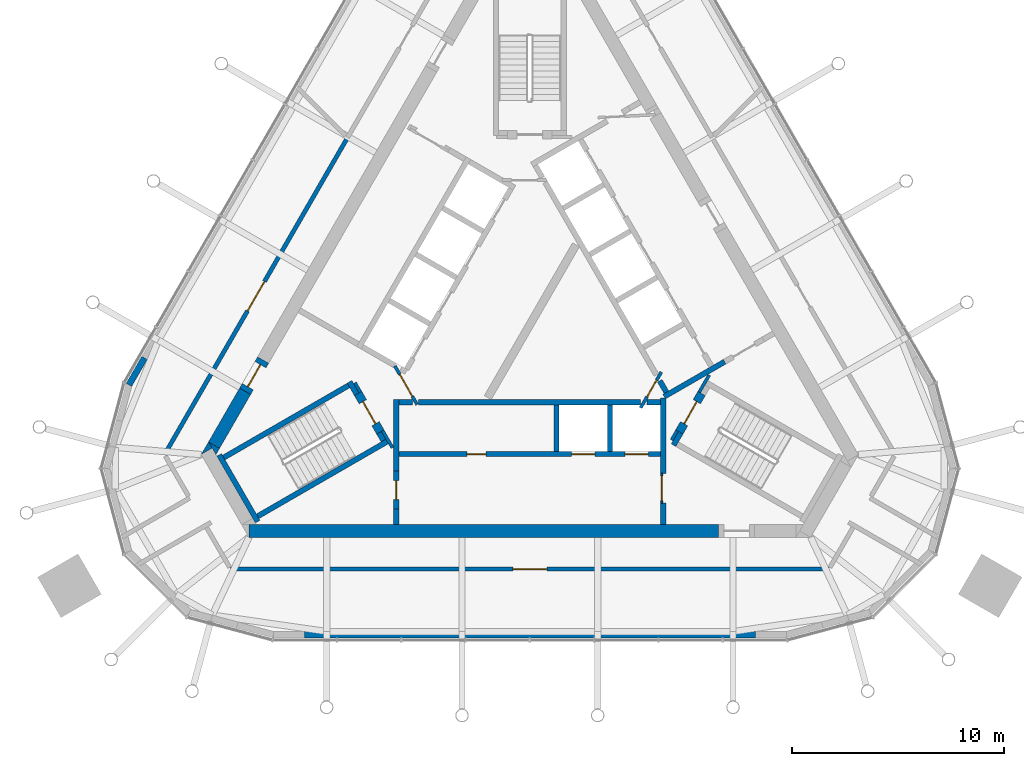
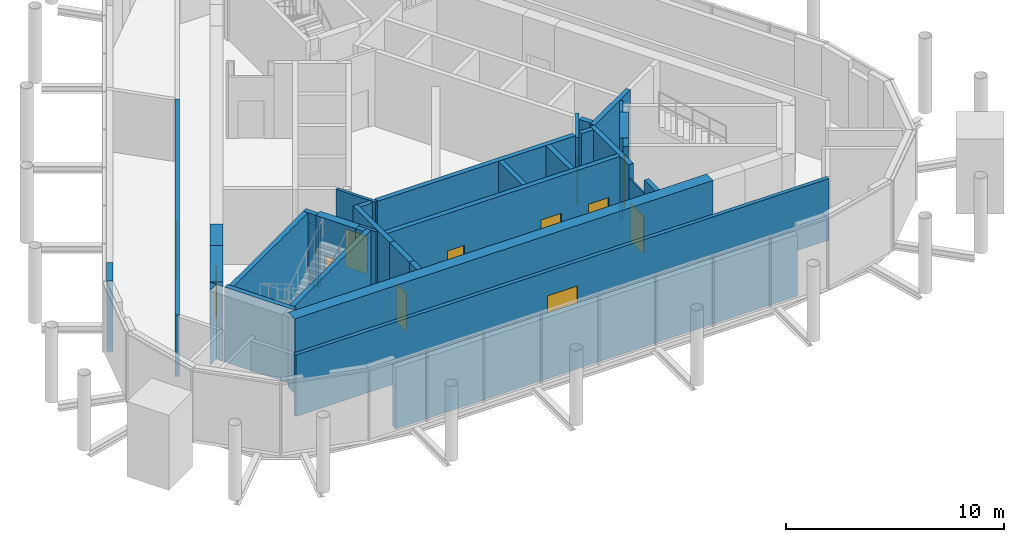
# One storey, part 7 of 11: 37 walls, 12 doors, 12 openings.
"""IFC4 building model written with IfcOpenShell, lengths in metres."""

from ifc_helpers import new_model, si_unit, direction, frame, frame_2d, origin, place, context, subcontext, project, spatial, polyline, rectangle, outline, extrude, material, layer, layer_set, type_object, element, fill, save


model = new_model("IFC4")

# Units and contexts
model_context = context("Model", 3, precision=1e-05, world=origin(), true_north=direction((0.0, 1.0)))
body_context = subcontext(model_context, "Body", "Model", "MODEL_VIEW")
ifc_project = project(units=[si_unit("LENGTHUNIT", "METRE"), si_unit("AREAUNIT", "SQUARE_METRE"), si_unit("VOLUMEUNIT", "CUBIC_METRE"), si_unit("PLANEANGLEUNIT", "RADIAN"), si_unit("MASSUNIT", "GRAM", prefix="KILO")], contexts=[model_context])

# Site, building, storey
site_placement = place(None, origin())
site = spatial("IfcSite", under=ifc_project, at=site_placement, CompositionType="ELEMENT")
building_placement = place(site_placement, origin())
building = spatial("IfcBuilding", under=site, at=building_placement, Name="Mestral Congress Tower", CompositionType="ELEMENT")
storey_placement = place(building_placement, frame((0.0, 0.0, 340.199951171875)))
storey = spatial("IfcBuildingStorey", under=building, at=storey_placement, Name="L79", CompositionType="ELEMENT", Elevation=340.199951171875)

# Walls
ifc_material_1 = material(Name="Fire-rated board partition")
ifc_layer_1 = layer(ifc_material_1, 0.14990234375)
ifc_layer_set_1 = layer_set([ifc_layer_1], Name="Fire-rated board partition")
wall_type_1 = type_object("IfcWallType", Name="Core partition 150", PredefinedType="PARTITIONING", material=ifc_layer_set_1)
for number, where, z_axis, x_axis, name in (
    (1, (-8.251953125, -2.958251953125, 0.0), (0.0, 0.0, 1.0), (0.500174715838, -0.865924508047, 0.0), "L79 core wall"),
    (2, (6.94482421875, -5.22216796875, 0.0), (0.0, 0.0, 1.0), (-0.499818422106, -0.866130212453, 0.0), "L79 core wall"),
):
    element("IfcWall", number, at=place(storey_placement, frame(where, z_axis=z_axis, x_axis=x_axis)), inside=storey, type_object=wall_type_1, Name=name, PredefinedType="PARTITIONING", context=body_context, shape_type="SweptSolid", body=[
        extrude(rectangle(XDim=0.513916015625, YDim=0.14990234375, at=frame_2d((0.2568359375, 0.0))), origin(), (0.0, 0.0, 1.0), 3.449951171875),
    ])

# Wall, opening, door
ifc_layer_2 = layer(ifc_material_1, 0.090087890625)
ifc_layer_set_2 = layer_set([ifc_layer_2], Name="Fire-rated board partition")
wall_type_2 = type_object("IfcWallType", Name="Core partition 150 door-wall 90", PredefinedType="PARTITIONING", material=ifc_layer_set_2)
wall_1_placement = place(storey_placement, frame((6.219970703125, -7.23681640625, 0.0), z_axis=(0.0, 0.0, 1.0), x_axis=(0.0, -1.0, 0.0)))
wall_1 = element("IfcWall", 3, at=wall_1_placement, inside=storey, type_object=wall_type_2, Name="L79 door wall", PredefinedType="PARTITIONING", context=body_context, shape_type="SweptSolid", body=[
    extrude(rectangle(XDim=1.400146484375, YDim=0.090087890625, at=frame_2d((0.7001953125, 0.0))), origin(), (0.0, 0.0, 1.0), 3.449951171875),
])
opening_1_placement = place(wall_1_placement, frame((0.10009765625, 0.0, 0.0)))
opening_1 = element("IfcOpeningElement", 4, at=opening_1_placement, cuts=wall_1, Name="Opening LB0-WL1", PredefinedType="OPENING", context=body_context, shape_type="SweptSolid", body=[
    extrude(rectangle(XDim=1.199951171875, YDim=2.10009765625, at=frame_2d((0.60009765625, 1.050048828125))), frame((0.0, 0.054931640625, 0.0), z_axis=(0.0, -1.0, 0.0), x_axis=(1.0, 0.0, 0.0)), (0.0, 0.0, 1.0), 0.110107421875),
])
ifc_material_2 = material(Name="Fire-rated steel door set", Category="steel")
door_type_1 = type_object("IfcDoorType", Name="Core door LB 1200x2100", OperationType="SINGLE_SWING_LEFT", PredefinedType="DOOR", material=ifc_material_2)
door_1_placement = place(opening_1_placement, origin())
door_1 = element("IfcDoor", 5, at=door_1_placement, inside=storey, type_object=door_type_1, Name="Door LB0-WL1", OperationType="SINGLE_SWING_LEFT", OverallHeight=2.10009765625, OverallWidth=1.199951171875, PredefinedType="DOOR", context=body_context, shape_type="SweptSolid", body=[
    extrude(rectangle(XDim=1.199951171875, YDim=2.10009765625, at=frame_2d((0.60009765625, 1.050048828125))), frame((0.0, 0.02490234375, 0.0), z_axis=(0.0, -1.0, 0.0), x_axis=(1.0, 0.0, 0.0)), (0.0, 0.0, 1.0), 0.050048828125),
])
fill(opening_1, door_1)

# Walls
ifc_material_3 = material(Name="Concrete C60/75", Category="concrete")
ifc_layer_3 = layer(ifc_material_3, 0.60009765625)
ifc_layer_set_3 = layer_set([ifc_layer_3], Name="Concrete C60/75")
wall_type_3 = type_object("IfcWallType", Name="Core wall RC 600", PredefinedType="SOLIDWALL", material=ifc_layer_set_3)
wall_2_placement = place(storey_placement, frame((8.904296875, -9.949951171875, 0.0), z_axis=(0.0, 0.0, 1.0), x_axis=(-1.0, 0.0, 0.0)))
element("IfcWall", 6, at=wall_2_placement, inside=storey, type_object=wall_type_3, Name="L79 core wall", PredefinedType="SOLIDWALL", context=body_context, shape_type="SweptSolid", body=[
    extrude(rectangle(XDim=22.160888671875, YDim=0.60009765625, at=frame_2d((11.08056640625, 0.0))), origin(), (0.0, 0.0, 1.0), 4.199951171875),
])
placement = place(storey_placement, origin())
element("IfcWall", 7, at=placement, inside=storey, type_object=wall_type_3, Name="L79 core wall", PredefinedType="SOLIDWALL", context=body_context, shape_type="SweptSolid", body=[
    extrude(outline(polyline([(-14.986572265625, -6.042724609375), (-15.493408203125, -6.33544921875), (-15.155517578125, -5.75), (-14.986572265625, -6.042724609375)])), origin(), (0.0, 0.0, 1.0), 4.199951171875),
])
wall_4_placement = place(storey_placement, frame((-13.431640625, -3.3642578125, 0.0), z_axis=(0.0, 0.0, 1.0), x_axis=(-0.499960127962, -0.866048422692, 0.0)))
element("IfcWall", 8, at=wall_4_placement, inside=storey, type_object=wall_type_3, Name="L79 core wall", PredefinedType="SOLIDWALL", context=body_context, shape_type="SweptSolid", body=[
    extrude(rectangle(XDim=2.934326171875, YDim=0.60009765625, at=frame_2d((1.46728515625, 0.0))), origin(), (0.0, 0.0, 1.0), 4.199951171875),
])
element("IfcWall", 9, at=placement, inside=storey, type_object=wall_type_3, Name="L79 core wall", PredefinedType="SOLIDWALL", context=body_context, shape_type="SweptSolid", body=[
    extrude(outline(polyline([(-14.80908203125, -6.35009765625), (-15.147216796875, -5.764404296875), (-14.639892578125, -6.057373046875), (-14.80908203125, -6.35009765625)])), origin(), (0.0, 0.0, 1.0), 4.199951171875),
])

# Wall, opening, door
wall_6_placement = place(storey_placement, frame((-13.431640625, -3.3642578125, 0.0), z_axis=(0.0, 0.0, 1.0), x_axis=(0.500000056704, 0.866025371046, 0.0)))
wall_6 = element("IfcWall", 10, at=wall_6_placement, inside=storey, type_object=wall_type_3, Name="L79 door wall", PredefinedType="SOLIDWALL", context=body_context, shape_type="SweptSolid", body=[
    extrude(rectangle(XDim=1.7001953125, YDim=0.60009765625, at=frame_2d((0.85009765625, 0.0))), origin(), (0.0, 0.0, 1.0), 4.199951171875),
])
opening_2_placement = place(wall_6_placement, frame((0.25, 0.0, 0.0)))
opening_2 = element("IfcOpeningElement", 11, at=opening_2_placement, cuts=wall_6, Name="Opening XD3", PredefinedType="OPENING", context=body_context, shape_type="SweptSolid", body=[
    extrude(rectangle(XDim=1.199951171875, YDim=2.10009765625, at=frame_2d((0.60009765625, 1.050048828125))), frame((0.0, 0.31005859375, 0.0), z_axis=(0.0, -1.0, 0.0), x_axis=(1.0, 0.0, 0.0)), (0.0, 0.0, 1.0), 0.6201171875),
])
door_type_2 = type_object("IfcDoorType", Name="Core door XD 1200x2100", OperationType="SINGLE_SWING_LEFT", PredefinedType="DOOR", material=ifc_material_2)
door_2_placement = place(opening_2_placement, origin())
door_2 = element("IfcDoor", 12, at=door_2_placement, inside=storey, type_object=door_type_2, Name="Door XD3", OperationType="SINGLE_SWING_LEFT", OverallHeight=2.10009765625, OverallWidth=1.199951171875, PredefinedType="DOOR", context=body_context, shape_type="SweptSolid", body=[
    extrude(rectangle(XDim=1.199951171875, YDim=2.10009765625, at=frame_2d((0.60009765625, 1.050048828125))), frame((0.0, 0.02490234375, 0.0), z_axis=(0.0, -1.0, 0.0), x_axis=(1.0, 0.0, 0.0)), (0.0, 0.0, 1.0), 0.050048828125),
])
fill(opening_2, door_2)

# Walls
ifc_material_4 = material(Name="Precast concrete C40/50 with limestone facing", Category="masonry")
ifc_layer_4 = layer(ifc_material_4, 0.300048828125)
ifc_layer_set_4 = layer_set([ifc_layer_4], Name="Precast concrete C40/50 with limestone facing")
wall_type_4 = type_object("IfcWallType", Name="Crown plant block wall 300", PredefinedType="SOLIDWALL", material=ifc_layer_set_4)
wall_7_placement = place(storey_placement, frame((-18.180908203125, -1.790283203125, 0.0), z_axis=(0.0, 0.0, 1.0), x_axis=(-0.500049712553, -0.865996700326, 0.0)))
element("IfcWall", 13, at=wall_7_placement, inside=storey, type_object=wall_type_4, Name="Plant block wall 10", PredefinedType="SOLIDWALL", context=body_context, shape_type="SweptSolid", body=[
    extrude(rectangle(XDim=1.463623046875, YDim=0.300048828125, at=frame_2d((0.73193359375, 0.0))), origin(), (0.0, 0.0, 1.0), 3.949951171875),
])
ifc_layer_5 = layer(ifc_material_4, 0.300048828125)
ifc_layer_set_5 = layer_set([ifc_layer_5], Name="Precast concrete C40/50 with limestone facing")
wall_type_5 = type_object("IfcWallType", Name="Crown plant block wall 300 under girder", PredefinedType="SOLIDWALL", material=ifc_layer_set_5)
wall_8_placement = place(storey_placement, frame((-10.640869140625, -14.85009765625, 0.0), z_axis=(0.0, 0.0, 1.0), x_axis=(1.0, 0.0, 0.0)))
element("IfcWall", 14, at=wall_8_placement, inside=storey, type_object=wall_type_5, Name="Plant block wall 15", PredefinedType="SOLIDWALL", context=body_context, shape_type="SweptSolid", body=[
    extrude(rectangle(XDim=21.28173828125, YDim=0.300048828125, at=frame_2d((10.640869140625, 0.0))), origin(), (0.0, 0.0, 1.0), 3.449951171875),
])
ifc_layer_6 = layer(ifc_material_3, 0.25)
ifc_layer_set_6 = layer_set([ifc_layer_6], Name="Concrete C60/75")
wall_type_6 = type_object("IfcWallType", Name="Shaft wall RC 250", PredefinedType="SOLIDWALL", material=ifc_layer_set_6)
wall_9_placement = place(storey_placement, frame((6.300048828125, -7.239990234375, 0.0), z_axis=(0.0, 0.0, 1.0), x_axis=(0.0, 1.0, 0.0)))
element("IfcWall", 15, at=wall_9_placement, inside=storey, type_object=wall_type_6, Name="L79 core wall", PredefinedType="SOLIDWALL", context=body_context, shape_type="SweptSolid", body=[
    extrude(rectangle(XDim=3.55615234375, YDim=0.25, at=frame_2d((1.778076171875, 0.0))), origin(), (0.0, 0.0, 1.0), 4.199951171875),
])
wall_10_placement = place(storey_placement, frame((6.300048828125, -9.64990234375, 0.0), z_axis=(0.0, 0.0, 1.0), x_axis=(0.0, 1.0, 0.0)))
element("IfcWall", 16, at=wall_10_placement, inside=storey, type_object=wall_type_6, Name="L79 core wall", PredefinedType="SOLIDWALL", context=body_context, shape_type="SweptSolid", body=[
    extrude(rectangle(XDim=1.0078125, YDim=0.25, at=frame_2d((0.50390625, 0.0))), origin(), (0.0, 0.0, 1.0), 4.199951171875),
])
wall_11_placement = place(storey_placement, frame((5.538330078125, -3.875, 0.0), z_axis=(0.0, 0.0, 1.0), x_axis=(1.0, 0.0, 0.0)))
element("IfcWall", 17, at=wall_11_placement, inside=storey, type_object=wall_type_6, Name="L79 core wall", PredefinedType="SOLIDWALL", context=body_context, shape_type="SweptSolid", body=[
    extrude(rectangle(XDim=0.63671875, YDim=0.25, at=frame_2d((0.318359375, 0.0))), origin(), (0.0, 0.0, 1.0), 4.199951171875),
])
wall_12_placement = place(storey_placement, frame((-5.25927734375, -3.875, 0.0), z_axis=(0.0, 0.0, 1.0), x_axis=(1.0, 0.0, 0.0)))
element("IfcWall", 18, at=wall_12_placement, inside=storey, type_object=wall_type_6, Name="L79 core wall", PredefinedType="SOLIDWALL", context=body_context, shape_type="SweptSolid", body=[
    extrude(rectangle(XDim=10.488525390625, YDim=0.25, at=frame_2d((5.244140625, 0.0))), origin(), (0.0, 0.0, 1.0), 4.199951171875),
])
for number, where, z_axis, x_axis, name in (
    (19, (1.260009765625, -4.0, 0.0), (0.0, 0.0, 1.0), (0.0, -1.0, 0.0), "L79 core wall"),
    (20, (3.780029296875, -4.0, 0.0), (0.0, 0.0, 1.0), (0.0, -1.0, 0.0), "L79 core wall"),
):
    element("IfcWall", number, at=place(storey_placement, frame(where, z_axis=z_axis, x_axis=x_axis)), inside=storey, type_object=wall_type_6, Name=name, PredefinedType="SOLIDWALL", context=body_context, shape_type="SweptSolid", body=[
        extrude(rectangle(XDim=2.199951171875, YDim=0.25, at=frame_2d((1.10009765625, 0.0))), origin(), (0.0, 0.0, 1.0), 4.199951171875),
    ])
wall_13_placement = place(storey_placement, frame((-6.300048828125, -7.12451171875, 0.0), z_axis=(0.0, 0.0, 1.0), x_axis=(0.0, 1.0, 0.0)))
element("IfcWall", 21, at=wall_13_placement, inside=storey, type_object=wall_type_6, Name="L79 core wall", PredefinedType="SOLIDWALL", context=body_context, shape_type="SweptSolid", body=[
    extrude(rectangle(XDim=3.37451171875, YDim=0.25, at=frame_2d((1.687255859375, 0.0))), origin(), (0.0, 0.0, 1.0), 4.199951171875),
])
wall_14_placement = place(storey_placement, frame((-6.175048828125, -3.875, 0.0), z_axis=(0.0, 0.0, 1.0), x_axis=(1.0, 0.0, 0.0)))
element("IfcWall", 22, at=wall_14_placement, inside=storey, type_object=wall_type_6, Name="L79 core wall", PredefinedType="SOLIDWALL", context=body_context, shape_type="SweptSolid", body=[
    extrude(rectangle(XDim=0.63671875, YDim=0.25, at=frame_2d((0.318359375, 0.0))), origin(), (0.0, 0.0, 1.0), 4.199951171875),
])
wall_15_placement = place(storey_placement, frame((-6.300048828125, -8.9248046875, 0.0), z_axis=(0.0, 0.0, 1.0), x_axis=(0.0, -1.0, 0.0)))
element("IfcWall", 23, at=wall_15_placement, inside=storey, type_object=wall_type_6, Name="L79 core wall", PredefinedType="SOLIDWALL", context=body_context, shape_type="SweptSolid", body=[
    extrude(rectangle(XDim=0.72509765625, YDim=0.25, at=frame_2d((0.362548828125, 0.0))), origin(), (0.0, 0.0, 1.0), 4.199951171875),
])
wall_16_placement = place(storey_placement, frame((9.190185546875, -1.96875, 0.0), z_axis=(0.0, 0.0, 1.0), x_axis=(-0.866057109641, -0.499945079824, 0.0)))
element("IfcWall", 24, at=wall_16_placement, inside=storey, type_object=wall_type_6, Name="L79 core wall", PredefinedType="SOLIDWALL", context=body_context, shape_type="SweptSolid", body=[
    extrude(rectangle(XDim=3.290771484375, YDim=0.25, at=frame_2d((1.6455078125, 0.0))), origin(), (0.0, 0.0, 1.0), 4.199951171875),
])
wall_17_placement = place(storey_placement, frame((6.1298828125, -2.867431640625, 0.0), z_axis=(0.0, 0.0, 1.0), x_axis=(0.500160776593, -0.865932559475, 0.0)))
element("IfcWall", 25, at=wall_17_placement, inside=storey, type_object=wall_type_6, Name="L79 core wall", PredefinedType="SOLIDWALL", context=body_context, shape_type="SweptSolid", body=[
    extrude(rectangle(XDim=0.626708984375, YDim=0.25, at=frame_2d((0.3134765625, 0.0))), origin(), (0.0, 0.0, 1.0), 4.199951171875),
])

# Wall, openings, doors
wall_18_placement = place(storey_placement, frame((-6.175048828125, -6.324951171875, 0.0), z_axis=(0.0, 0.0, 1.0), x_axis=(1.0, 0.0, 0.0)))
wall_18 = element("IfcWall", 26, at=wall_18_placement, inside=storey, type_object=wall_type_6, Name="L79 door wall", PredefinedType="SOLIDWALL", context=body_context, shape_type="SweptSolid", body=[
    extrude(rectangle(XDim=12.35009765625, YDim=0.25, at=frame_2d((6.175048828125, 0.0))), origin(), (0.0, 0.0, 1.0), 4.199951171875),
])
opening_3_placement = place(wall_18_placement, frame((3.205078125, 0.0, 0.0)))
opening_3 = element("IfcOpeningElement", 27, at=opening_3_placement, cuts=wall_18, Name="Opening SR-SOB1", PredefinedType="OPENING", context=body_context, shape_type="SweptSolid", body=[
    extrude(rectangle(XDim=0.89990234375, YDim=2.10009765625, at=frame_2d((0.449951171875, 1.050048828125))), frame((0.0, 0.135009765625, 0.0), z_axis=(0.0, -1.0, 0.0), x_axis=(1.0, 0.0, 0.0)), (0.0, 0.0, 1.0), 0.27001953125),
])
opening_4_placement = place(wall_18_placement, frame((8.14501953125, 0.0, 0.0)))
opening_4 = element("IfcOpeningElement", 28, at=opening_4_placement, cuts=wall_18, Name="Opening LD-SOB4", PredefinedType="OPENING", context=body_context, shape_type="SweptSolid", body=[
    extrude(rectangle(XDim=1.10009765625, YDim=2.10009765625, at=frame_2d((0.550048828125, 1.050048828125))), frame((0.0, 0.135009765625, 0.0), z_axis=(0.0, -1.0, 0.0), x_axis=(1.0, 0.0, 0.0)), (0.0, 0.0, 1.0), 0.27001953125),
])
opening_5_placement = place(wall_18_placement, frame((10.6650390625, 0.0, 0.0)))
opening_5 = element("IfcOpeningElement", 29, at=opening_5_placement, cuts=wall_18, Name="Opening LD-SOB5", PredefinedType="OPENING", context=body_context, shape_type="SweptSolid", body=[
    extrude(rectangle(XDim=1.10009765625, YDim=2.10009765625, at=frame_2d((0.550048828125, 1.050048828125))), frame((0.0, 0.135009765625, 0.0), z_axis=(0.0, -1.0, 0.0), x_axis=(1.0, 0.0, 0.0)), (0.0, 0.0, 1.0), 0.27001953125),
])
door_type_3 = type_object("IfcDoorType", Name="Core door LD 1100x2100", OperationType="DOUBLE_DOOR_SLIDING", PredefinedType="DOOR", material=ifc_material_2)
door_3_placement = place(opening_4_placement, origin())
door_3 = element("IfcDoor", 30, at=door_3_placement, inside=storey, type_object=door_type_3, Name="Door LD-SOB4", OperationType="DOUBLE_DOOR_SLIDING", OverallHeight=2.10009765625, OverallWidth=1.10009765625, PredefinedType="DOOR", context=body_context, shape_type="SweptSolid", body=[
    extrude(rectangle(XDim=1.10009765625, YDim=2.10009765625, at=frame_2d((0.550048828125, 1.050048828125))), frame((0.0, 0.02490234375, 0.0), z_axis=(0.0, -1.0, 0.0), x_axis=(1.0, 0.0, 0.0)), (0.0, 0.0, 1.0), 0.050048828125),
])
fill(opening_4, door_3)
door_4_placement = place(opening_5_placement, origin())
door_4 = element("IfcDoor", 31, at=door_4_placement, inside=storey, type_object=door_type_3, Name="Door LD-SOB5", OperationType="DOUBLE_DOOR_SLIDING", OverallHeight=2.10009765625, OverallWidth=1.10009765625, PredefinedType="DOOR", context=body_context, shape_type="SweptSolid", body=[
    extrude(rectangle(XDim=1.10009765625, YDim=2.10009765625, at=frame_2d((0.550048828125, 1.050048828125))), frame((0.0, 0.02490234375, 0.0), z_axis=(0.0, -1.0, 0.0), x_axis=(1.0, 0.0, 0.0)), (0.0, 0.0, 1.0), 0.050048828125),
])
fill(opening_5, door_4)
door_type_4 = type_object("IfcDoorType", Name="Core door SR 900x2100", OperationType="SINGLE_SWING_LEFT", PredefinedType="DOOR", material=ifc_material_2)
door_5_placement = place(opening_3_placement, origin())
door_5 = element("IfcDoor", 32, at=door_5_placement, inside=storey, type_object=door_type_4, Name="Door SR-SOB1", OperationType="SINGLE_SWING_LEFT", OverallHeight=2.10009765625, OverallWidth=0.89990234375, PredefinedType="DOOR", context=body_context, shape_type="SweptSolid", body=[
    extrude(rectangle(XDim=0.89990234375, YDim=2.10009765625, at=frame_2d((0.449951171875, 1.050048828125))), frame((0.0, 0.02490234375, 0.0), z_axis=(0.0, -1.0, 0.0), x_axis=(1.0, 0.0, 0.0)), (0.0, 0.0, 1.0), 0.050048828125),
])
fill(opening_3, door_5)

# Wall, opening, door
wall_19_placement = place(storey_placement, frame((-6.300048828125, -7.12451171875, 0.0), z_axis=(0.0, 0.0, 1.0), x_axis=(0.0, -1.0, 0.0)))
wall_19 = element("IfcWall", 33, at=wall_19_placement, inside=storey, type_object=wall_type_6, Name="L79 door wall", PredefinedType="SOLIDWALL", context=body_context, shape_type="SweptSolid", body=[
    extrude(rectangle(XDim=1.800048828125, YDim=0.25, at=frame_2d((0.89990234375, 0.0))), origin(), (0.0, 0.0, 1.0), 4.199951171875),
])
opening_6_placement = place(wall_19_placement, frame((0.449951171875, 0.0, 0.0)))
opening_6 = element("IfcOpeningElement", 34, at=opening_6_placement, cuts=wall_19, Name="Opening TD3", PredefinedType="OPENING", context=body_context, shape_type="SweptSolid", body=[
    extrude(rectangle(XDim=0.89990234375, YDim=2.10009765625, at=frame_2d((0.449951171875, 1.050048828125))), frame((0.0, 0.135009765625, 0.0), z_axis=(0.0, -1.0, 0.0), x_axis=(1.0, 0.0, 0.0)), (0.0, 0.0, 1.0), 0.27001953125),
])
door_6_placement = place(opening_6_placement, origin())
door_6 = element("IfcDoor", 35, at=door_6_placement, inside=storey, type_object=door_type_4, Name="Door TD3", OperationType="SINGLE_SWING_LEFT", OverallHeight=2.10009765625, OverallWidth=0.89990234375, PredefinedType="DOOR", context=body_context, shape_type="SweptSolid", body=[
    extrude(rectangle(XDim=0.89990234375, YDim=2.10009765625, at=frame_2d((0.449951171875, 1.050048828125))), frame((0.0, 0.02490234375, 0.0), z_axis=(0.0, -1.0, 0.0), x_axis=(1.0, 0.0, 0.0)), (0.0, 0.0, 1.0), 0.050048828125),
])
fill(opening_6, door_6)

# Walls
ifc_layer_7 = layer(ifc_material_3, 0.14990234375)
ifc_layer_set_7 = layer_set([ifc_layer_7], Name="Concrete C60/75")
wall_type_7 = type_object("IfcWallType", Name="Shaft wall RC 250 door-wall 150", PredefinedType="SOLIDWALL", material=ifc_layer_set_7)
wall_20_placement = place(storey_placement, frame((-6.48046875, -6.026611328125, 0.0), z_axis=(0.0, 0.0, 1.0), x_axis=(-0.499927229454, 0.866067413802, 0.0)))
element("IfcWall", 36, at=wall_20_placement, inside=storey, type_object=wall_type_7, Name="L79 core wall", PredefinedType="PARTITIONING", context=body_context, shape_type="SweptSolid", body=[
    extrude(rectangle(XDim=0.928955078125, YDim=0.14990234375, at=frame_2d((0.46435546875, 0.0))), origin(), (0.0, 0.0, 1.0), 4.199951171875),
])
wall_21_placement = place(storey_placement, frame((8.459228515625, -2.59912109375, 0.0), z_axis=(0.0, 0.0, 1.0), x_axis=(-0.500041054325, -0.866001699761, 0.0)))
element("IfcWall", 37, at=wall_21_placement, inside=storey, type_object=wall_type_7, Name="L79 core wall", PredefinedType="PARTITIONING", context=body_context, shape_type="SweptSolid", body=[
    extrude(rectangle(XDim=0.9287109375, YDim=0.14990234375, at=frame_2d((0.46435546875, 0.0))), origin(), (0.0, 0.0, 1.0), 4.199951171875),
])

# Wall, opening, door
wall_22_placement = place(storey_placement, frame((6.203369140625, -2.45556640625, 0.0), z_axis=(0.0, 0.0, 1.0), x_axis=(-0.500043961785, -0.866000020948, 0.0)))
wall_22 = element("IfcWall", 38, at=wall_22_placement, inside=storey, type_object=wall_type_7, Name="L79 door wall", PredefinedType="PARTITIONING", context=body_context, shape_type="SweptSolid", body=[
    extrude(rectangle(XDim=1.949951171875, YDim=0.14990234375, at=frame_2d((0.97509765625, 0.0))), origin(), (0.0, 0.0, 1.0), 4.199951171875),
])
opening_7_placement = place(wall_22_placement, frame((0.449951171875, 0.0, 0.0)))
opening_7 = element("IfcOpeningElement", 39, at=opening_7_placement, cuts=wall_22, Name="Opening CD1-HUB0", PredefinedType="OPENING", context=body_context, shape_type="SweptSolid", body=[
    extrude(rectangle(XDim=0.89990234375, YDim=2.10009765625, at=frame_2d((0.449951171875, 1.050048828125))), frame((0.0, 0.0849609375, 0.0), z_axis=(0.0, -1.0, 0.0), x_axis=(1.0, 0.0, 0.0)), (0.0, 0.0, 1.0), 0.169921875),
])
door_type_5 = type_object("IfcDoorType", Name="Core door CD 900x2100", OperationType="SINGLE_SWING_LEFT", PredefinedType="DOOR", material=ifc_material_2)
door_7_placement = place(opening_7_placement, origin())
door_7 = element("IfcDoor", 40, at=door_7_placement, inside=storey, type_object=door_type_5, Name="Door CD1-HUB0", OperationType="SINGLE_SWING_LEFT", OverallHeight=2.10009765625, OverallWidth=0.89990234375, PredefinedType="DOOR", context=body_context, shape_type="SweptSolid", body=[
    extrude(rectangle(XDim=0.89990234375, YDim=2.10009765625, at=frame_2d((0.449951171875, 1.050048828125))), frame((0.0, 0.02490234375, 0.0), z_axis=(0.0, -1.0, 0.0), x_axis=(1.0, 0.0, 0.0)), (0.0, 0.0, 1.0), 0.050048828125),
])
fill(opening_7, door_7)

wall_23_placement = place(storey_placement, frame((-5.3173828125, -3.98974609375, 0.0), z_axis=(0.0, 0.0, 1.0), x_axis=(-0.500027713859, 0.866009402589, 0.0)))
wall_23 = element("IfcWall", 41, at=wall_23_placement, inside=storey, type_object=wall_type_7, Name="L79 door wall", PredefinedType="PARTITIONING", context=body_context, shape_type="SweptSolid", body=[
    extrude(rectangle(XDim=2.10009765625, YDim=0.14990234375, at=frame_2d((1.050048828125, 0.0))), origin(), (0.0, 0.0, 1.0), 4.199951171875),
])
opening_8_placement = place(wall_23_placement, frame((0.449951171875, 0.0, 0.0)))
opening_8 = element("IfcOpeningElement", 42, at=opening_8_placement, cuts=wall_23, Name="Opening CD3-FF", PredefinedType="OPENING", context=body_context, shape_type="SweptSolid", body=[
    extrude(rectangle(XDim=1.199951171875, YDim=2.10009765625, at=frame_2d((0.60009765625, 1.050048828125))), frame((0.0, 0.0849609375, 0.0), z_axis=(0.0, -1.0, 0.0), x_axis=(1.0, 0.0, 0.0)), (0.0, 0.0, 1.0), 0.169921875),
])
door_type_6 = type_object("IfcDoorType", Name="Core door CD 1200x2100", OperationType="SINGLE_SWING_LEFT", PredefinedType="DOOR", material=ifc_material_2)
door_8_placement = place(opening_8_placement, origin())
door_8 = element("IfcDoor", 43, at=door_8_placement, inside=storey, type_object=door_type_6, Name="Door CD3-FF", OperationType="SINGLE_SWING_LEFT", OverallHeight=2.10009765625, OverallWidth=1.199951171875, PredefinedType="DOOR", context=body_context, shape_type="SweptSolid", body=[
    extrude(rectangle(XDim=1.199951171875, YDim=2.10009765625, at=frame_2d((0.60009765625, 1.050048828125))), frame((0.0, 0.02490234375, 0.0), z_axis=(0.0, -1.0, 0.0), x_axis=(1.0, 0.0, 0.0)), (0.0, 0.0, 1.0), 0.050048828125),
])
fill(opening_8, door_8)

ifc_material_5 = material(Name="Concrete block wall, plastered", Category="concrete")
ifc_layer_8 = layer(ifc_material_5, 0.199951171875)
ifc_layer_set_8 = layer_set([ifc_layer_8], Name="Concrete block wall, plastered")
wall_type_8 = type_object("IfcWallType", Name="Special partition 200 EI 120", PredefinedType="PARTITIONING", material=ifc_layer_set_8)
wall_24_placement = place(storey_placement, frame((-14.1162109375, -11.75, 0.0), z_axis=(0.0, 0.0, 1.0), x_axis=(1.0, 0.0, 0.0)))
wall_24 = element("IfcWall", 44, at=wall_24_placement, inside=storey, type_object=wall_type_8, Name="Partition", PredefinedType="PARTITIONING", context=body_context, shape_type="SweptSolid", body=[
    extrude(rectangle(XDim=28.232421875, YDim=0.199951171875, at=frame_2d((14.1162109375, 0.0))), origin(), (0.0, 0.0, 1.0), 3.449951171875),
])
opening_9_placement = place(wall_24_placement, frame((13.316162109375, 0.0, 0.0)))
opening_9 = element("IfcOpeningElement", 45, at=opening_9_placement, cuts=wall_24, Name="Opening K79-001", PredefinedType="OPENING", context=body_context, shape_type="SweptSolid", body=[
    extrude(rectangle(XDim=1.60009765625, YDim=2.10009765625, at=frame_2d((0.800048828125, 1.050048828125))), frame((0.0, 0.10986328125, 0.0), z_axis=(0.0, -1.0, 0.0), x_axis=(1.0, 0.0, 0.0)), (0.0, 0.0, 1.0), 0.219970703125),
])
door_type_7 = type_object("IfcDoorType", Name="Plant room double door 1600x2100", OperationType="DOUBLE_DOOR_SINGLE_SWING", PredefinedType="DOOR", material=ifc_material_2)
door_9_placement = place(opening_9_placement, origin())
door_9 = element("IfcDoor", 46, at=door_9_placement, inside=storey, type_object=door_type_7, Name="Door K79-001", OperationType="DOUBLE_DOOR_SINGLE_SWING", OverallHeight=2.10009765625, OverallWidth=1.60009765625, PredefinedType="DOOR", context=body_context, shape_type="SweptSolid", body=[
    extrude(rectangle(XDim=1.60009765625, YDim=2.10009765625, at=frame_2d((0.800048828125, 1.050048828125))), frame((0.0, 0.02490234375, 0.0), z_axis=(0.0, -1.0, 0.0), x_axis=(1.0, 0.0, 0.0)), (0.0, 0.0, 1.0), 0.050048828125),
])
fill(opening_9, door_9)

wall_25_placement = place(storey_placement, frame((-8.6015625, 8.601806640625, 0.0), z_axis=(0.0, 0.0, 1.0), x_axis=(-0.499992973356, -0.866029460581, 0.0)))
wall_25 = element("IfcWall", 47, at=wall_25_placement, inside=storey, type_object=wall_type_8, Name="Partition", PredefinedType="PARTITIONING", context=body_context, shape_type="SweptSolid", body=[
    extrude(rectangle(XDim=17.264892578125, YDim=0.199951171875, at=frame_2d((8.63232421875, 0.0))), origin(), (0.0, 0.0, 1.0), 3.449951171875),
])
opening_10_placement = place(wall_25_placement, frame((7.83251953125, 0.0, 0.0)))
opening_10 = element("IfcOpeningElement", 48, at=opening_10_placement, cuts=wall_25, Name="Opening K79-005", PredefinedType="OPENING", context=body_context, shape_type="SweptSolid", body=[
    extrude(rectangle(XDim=1.60009765625, YDim=2.10009765625, at=frame_2d((0.800048828125, 1.050048828125))), frame((0.0, 0.10986328125, 0.0), z_axis=(0.0, -1.0, 0.0), x_axis=(1.0, 0.0, 0.0)), (0.0, 0.0, 1.0), 0.219970703125),
])
door_10_placement = place(opening_10_placement, origin())
door_10 = element("IfcDoor", 49, at=door_10_placement, inside=storey, type_object=door_type_7, Name="Door K79-005", OperationType="DOUBLE_DOOR_SINGLE_SWING", OverallHeight=2.10009765625, OverallWidth=1.60009765625, PredefinedType="DOOR", context=body_context, shape_type="SweptSolid", body=[
    extrude(rectangle(XDim=1.60009765625, YDim=2.10009765625, at=frame_2d((0.800048828125, 1.050048828125))), frame((0.0, 0.02490234375, 0.0), z_axis=(0.0, -1.0, 0.0), x_axis=(1.0, 0.0, 0.0)), (0.0, 0.0, 1.0), 0.050048828125),
])
fill(opening_10, door_10)

# Walls
ifc_layer_9 = layer(ifc_material_3, 0.25)
ifc_layer_set_9 = layer_set([ifc_layer_9], Name="Concrete C60/75")
wall_type_9 = type_object("IfcWallType", Name="Stair wall RC 250", PredefinedType="SOLIDWALL", material=ifc_layer_set_9)
wall_26_placement = place(storey_placement, frame((6.780029296875, -5.906494140625, 0.0), z_axis=(0.0, 0.0, 1.0), x_axis=(0.500223362819, 0.865896406789, 0.0)))
element("IfcWall", 50, at=wall_26_placement, inside=storey, type_object=wall_type_9, Name="L79 core wall", PredefinedType="SOLIDWALL", context=body_context, shape_type="SweptSolid", body=[
    extrude(rectangle(XDim=0.675048828125, YDim=0.25, at=frame_2d((0.33740234375, 0.0))), origin(), (0.0, 0.0, 1.0), 4.199951171875),
])
wall_27_placement = place(storey_placement, frame((-12.839599609375, -9.510986328125, 0.0), z_axis=(0.0, 0.0, 1.0), x_axis=(-0.499997733992, 0.866026712061, 0.0)))
element("IfcWall", 51, at=wall_27_placement, inside=storey, type_object=wall_type_9, Name="L79 core wall", PredefinedType="SOLIDWALL", context=body_context, shape_type="SweptSolid", body=[
    extrude(rectangle(XDim=3.6337890625, YDim=0.25, at=frame_2d((1.81689453125, 0.0))), origin(), (0.0, 0.0, 1.0), 4.199951171875),
])
wall_28_placement = place(storey_placement, frame((-14.43994140625, -6.489501953125, 0.0), z_axis=(0.0, 0.0, 1.0), x_axis=(0.866022966069, 0.500004222222, 0.0)))
element("IfcWall", 52, at=wall_28_placement, inside=storey, type_object=wall_type_9, Name="L79 core wall", PredefinedType="SOLIDWALL", context=body_context, shape_type="SweptSolid", body=[
    extrude(rectangle(XDim=6.80029296875, YDim=0.25, at=frame_2d((3.400146484375, 0.0))), origin(), (0.0, 0.0, 1.0), 4.199951171875),
])
wall_29_placement = place(storey_placement, frame((-8.167724609375, -3.503173828125, 0.0), z_axis=(0.0, 0.0, 1.0), x_axis=(-0.499952099219, 0.866053057547, 0.0)))
element("IfcWall", 53, at=wall_29_placement, inside=storey, type_object=wall_type_9, Name="L79 core wall", PredefinedType="SOLIDWALL", context=body_context, shape_type="SweptSolid", body=[
    extrude(rectangle(XDim=0.6748046875, YDim=0.25, at=frame_2d((0.33740234375, 0.0))), origin(), (0.0, 0.0, 1.0), 4.199951171875),
])
wall_30_placement = place(storey_placement, frame((-12.83984375, -9.2607421875, 0.0), z_axis=(0.0, 0.0, 1.0), x_axis=(0.866016039709, 0.500016218704, 0.0)))
element("IfcWall", 54, at=wall_30_placement, inside=storey, type_object=wall_type_9, Name="L79 core wall", PredefinedType="SOLIDWALL", context=body_context, shape_type="SweptSolid", body=[
    extrude(rectangle(XDim=7.050048828125, YDim=0.25, at=frame_2d((3.52490234375, 0.0))), origin(), (0.0, 0.0, 1.0), 4.199951171875),
])
wall_31_placement = place(storey_placement, frame((-6.905029296875, -5.68994140625, 0.0), z_axis=(0.0, 0.0, 1.0), x_axis=(-0.500402024738, 0.865793170242, 0.0)))
element("IfcWall", 55, at=wall_31_placement, inside=storey, type_object=wall_type_9, Name="L79 core wall", PredefinedType="SOLIDWALL", context=body_context, shape_type="SweptSolid", body=[
    extrude(rectangle(XDim=0.425048828125, YDim=0.25, at=frame_2d((0.21240234375, 0.0))), origin(), (0.0, 0.0, 1.0), 4.199951171875),
])

# Wall, opening, door
ifc_layer_10 = layer(ifc_material_3, 0.39990234375)
ifc_layer_set_10 = layer_set([ifc_layer_10], Name="Concrete C60/75")
wall_type_10 = type_object("IfcWallType", Name="Stair wall RC 250 door-wall 400", PredefinedType="SOLIDWALL", material=ifc_layer_set_10)
wall_32_placement = place(storey_placement, frame((7.052734375, -5.2841796875, 0.0), z_axis=(0.0, 0.0, 1.0), x_axis=(0.500078061341, 0.865980330357, 0.0)))
wall_32 = element("IfcWall", 56, at=wall_32_placement, inside=storey, type_object=wall_type_10, Name="L79 door wall", PredefinedType="SOLIDWALL", context=body_context, shape_type="SweptSolid", body=[
    extrude(rectangle(XDim=2.099853515625, YDim=0.39990234375, at=frame_2d((1.0498046875, 0.0))), origin(), (0.0, 0.0, 1.0), 4.199951171875),
])
opening_11_placement = place(wall_32_placement, frame((0.449951171875, 0.0, 0.0)))
opening_11 = element("IfcOpeningElement", 57, at=opening_11_placement, cuts=wall_32, Name="Opening ST-D1", PredefinedType="OPENING", context=body_context, shape_type="SweptSolid", body=[
    extrude(rectangle(XDim=1.199951171875, YDim=2.10009765625, at=frame_2d((0.60009765625, 1.050048828125))), frame((0.0, 0.2099609375, 0.0), z_axis=(0.0, -1.0, 0.0), x_axis=(1.0, 0.0, 0.0)), (0.0, 0.0, 1.0), 0.419921875),
])
door_type_8 = type_object("IfcDoorType", Name="Core door ST 1200x2100", OperationType="SINGLE_SWING_LEFT", PredefinedType="DOOR", material=ifc_material_2)
door_11_placement = place(opening_11_placement, origin())
door_11 = element("IfcDoor", 58, at=door_11_placement, inside=storey, type_object=door_type_8, Name="Door ST-D1", OperationType="SINGLE_SWING_LEFT", OverallHeight=2.10009765625, OverallWidth=1.199951171875, PredefinedType="DOOR", context=body_context, shape_type="SweptSolid", body=[
    extrude(rectangle(XDim=1.199951171875, YDim=2.10009765625, at=frame_2d((0.60009765625, 1.050048828125))), frame((0.0, 0.02490234375, 0.0), z_axis=(0.0, -1.0, 0.0), x_axis=(1.0, 0.0, 0.0)), (0.0, 0.0, 1.0), 0.050048828125),
])
fill(opening_11, door_11)

wall_33_placement = place(storey_placement, frame((-8.102783203125, -3.4658203125, 0.0), z_axis=(0.0, 0.0, 1.0), x_axis=(0.500078061341, -0.865980330357, 0.0)))
wall_33 = element("IfcWall", 59, at=wall_33_placement, inside=storey, type_object=wall_type_10, Name="L79 door wall", PredefinedType="SOLIDWALL", context=body_context, shape_type="SweptSolid", body=[
    extrude(rectangle(XDim=2.099853515625, YDim=0.39990234375, at=frame_2d((1.0498046875, 0.0))), origin(), (0.0, 0.0, 1.0), 4.199951171875),
])
opening_12_placement = place(wall_33_placement, frame((0.449951171875, 0.0, 0.0)))
opening_12 = element("IfcOpeningElement", 60, at=opening_12_placement, cuts=wall_33, Name="Opening ST-D3", PredefinedType="OPENING", context=body_context, shape_type="SweptSolid", body=[
    extrude(rectangle(XDim=1.199951171875, YDim=2.10009765625, at=frame_2d((0.60009765625, 1.050048828125))), frame((0.0, 0.2099609375, 0.0), z_axis=(0.0, -1.0, 0.0), x_axis=(1.0, 0.0, 0.0)), (0.0, 0.0, 1.0), 0.419921875),
])
door_12_placement = place(opening_12_placement, origin())
door_12 = element("IfcDoor", 61, at=door_12_placement, inside=storey, type_object=door_type_8, Name="Door ST-D3", OperationType="SINGLE_SWING_LEFT", OverallHeight=2.10009765625, OverallWidth=1.199951171875, PredefinedType="DOOR", context=body_context, shape_type="SweptSolid", body=[
    extrude(rectangle(XDim=1.199951171875, YDim=2.10009765625, at=frame_2d((0.60009765625, 1.050048828125))), frame((0.0, 0.02490234375, 0.0), z_axis=(0.0, -1.0, 0.0), x_axis=(1.0, 0.0, 0.0)), (0.0, 0.0, 1.0), 0.050048828125),
])
fill(opening_12, door_12)

save(model, "model.ifc")
